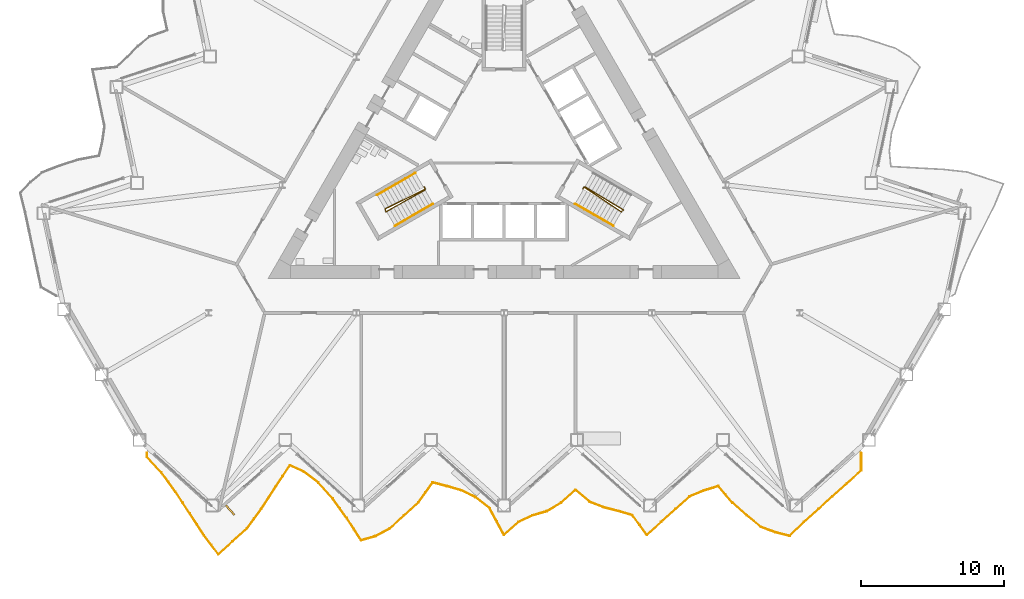
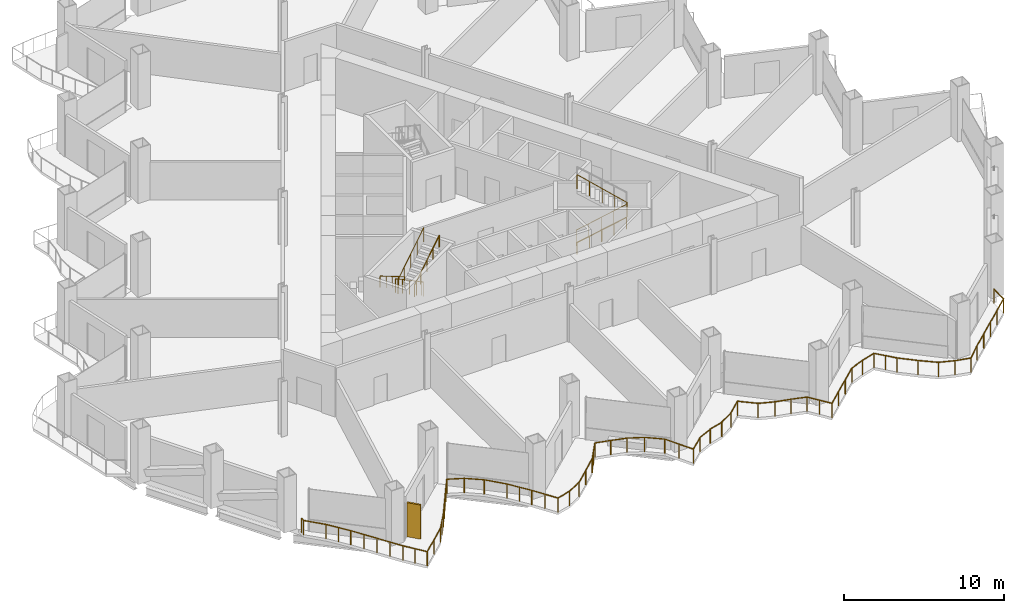
# One storey, part 17 of 21: 6 railings, 1 shading device.
"""IFC4 building model written with IfcOpenShell, lengths in metres."""

from ifc_helpers import new_model, si_unit, direction, frame, origin, origin_2d, place, context, subcontext, project, spatial, rectangle, circle, extrude, material, layer, layer_set, type_object, element, save


model = new_model("IFC4")

# Units and contexts
model_context = context("Model", 3, precision=1e-05, world=origin(), true_north=direction((0.0, 1.0)))
body_context = subcontext(model_context, "Body", "Model", "MODEL_VIEW")
ifc_project = project(units=[si_unit("LENGTHUNIT", "METRE"), si_unit("AREAUNIT", "SQUARE_METRE"), si_unit("VOLUMEUNIT", "CUBIC_METRE"), si_unit("PLANEANGLEUNIT", "RADIAN"), si_unit("MASSUNIT", "GRAM", prefix="KILO")], contexts=[model_context])

# Site, building, storey
site_placement = place(None, origin())
site = spatial("IfcSite", under=ifc_project, at=site_placement, CompositionType="ELEMENT")
building_placement = place(site_placement, origin())
building = spatial("IfcBuilding", under=site, at=building_placement, Name="Cormorant Prow Tower", CompositionType="ELEMENT")
storey_placement = place(building_placement, frame((0.0, 0.0, 108.0)))
storey = spatial("IfcBuildingStorey", under=building, at=storey_placement, Name="L22", CompositionType="ELEMENT", Elevation=108.0)

# Railings
ifc_material_1 = material(Name="Aluminium 6063-T6", Category="aluminium")
railing_type_1 = type_object("IfcRailingType", Name="Balcony guard 1100", PredefinedType="GUARDRAIL", material=ifc_material_1)
railing_1_placement = place(storey_placement, frame((-24.96337890625, -21.73486328125, 0.0)))
element("IfcRailing", 1, at=railing_1_placement, inside=storey, type_object=railing_type_1, Name="Balcony guard S", PredefinedType="GUARDRAIL", context=body_context, shape_type="SweptSolid", body=[
    extrude(circle(Radius=0.02392578125, at=origin_2d()), frame((0.0, 0.0, 1.076171875), z_axis=(0.0, -1.0, 0.0), x_axis=(1.0, 0.0, 0.0)), (0.0, 0.0, 1.0), 0.27001953125),
    extrude(circle(Radius=0.02392578125, at=origin_2d()), frame((0.0, -0.27001953125, 1.076171875), z_axis=(0.682579839343, -0.730811030925, 0.0), x_axis=(0.730811030925, 0.682579839343, 0.0)), (0.0, 0.0, 1.0), 1.462890625),
    extrude(circle(Radius=0.02392578125, at=origin_2d()), frame((0.99853515625, -1.339111328125, 1.076171875), z_axis=(0.590968956479, -0.806694299272, 0.0), x_axis=(0.806694299272, 0.590968956479, 0.0)), (0.0, 0.0, 1.0), 1.689697265625),
    extrude(circle(Radius=0.02392578125, at=origin_2d()), frame((1.9970703125, -2.7021484375, 1.076171875), z_axis=(0.546471548689, -0.837477669238, 0.0), x_axis=(0.837477669238, 0.546471548689, 0.0)), (0.0, 0.0, 1.0), 1.8271484375),
    extrude(circle(Radius=0.02392578125, at=origin_2d()), frame((2.99560546875, -4.232421875, 1.076171875), z_axis=(0.547389987267, -0.83687765046, 0.0), x_axis=(0.83687765046, 0.547389987267, 0.0)), (0.0, 0.0, 1.0), 1.82421875),
    extrude(circle(Radius=0.02392578125, at=origin_2d()), frame((3.994140625, -5.759033203125, 1.076171875), z_axis=(0.607268224345, -0.794496887156, 0.0), x_axis=(0.794496887156, 0.607268224345, 0.0)), (0.0, 0.0, 1.0), 1.644287109375),
    extrude(circle(Radius=0.02392578125, at=origin_2d()), frame((4.99267578125, -7.0654296875, 1.076171875), z_axis=(0.743203785227, 0.669065119121, 0.0), x_axis=(-0.669065119121, 0.743203785227, 0.0)), (0.0, 0.0, 1.0), 1.343505859375),
    extrude(circle(Radius=0.02392578125, at=origin_2d()), frame((5.9912109375, -6.16650390625, 1.076171875), z_axis=(0.743113432622, 0.669165470012, 0.0), x_axis=(-0.669165470012, 0.743113432622, 0.0)), (0.0, 0.0, 1.0), 1.34375),
    extrude(circle(Radius=0.02392578125, at=origin_2d()), frame((6.98974609375, -5.267333984375, 1.076171875), z_axis=(0.591934476972, 0.805986088572, 0.0), x_axis=(-0.805986088572, 0.591934476972, 0.0)), (0.0, 0.0, 1.0), 1.68701171875),
    extrude(circle(Radius=0.02392578125, at=origin_2d()), frame((7.98828125, -3.90771484375, 1.076171875), z_axis=(0.545494552009, 0.838114367928, 0.0), x_axis=(-0.838114367928, 0.545494552009, 0.0)), (0.0, 0.0, 1.0), 1.83056640625),
    extrude(circle(Radius=0.02392578125, at=origin_2d()), frame((8.98681640625, -2.37353515625, 1.076171875), z_axis=(0.54861835164, 0.836072906057, 0.0), x_axis=(-0.836072906057, 0.54861835164, 0.0)), (0.0, 0.0, 1.0), 1.820068359375),
    extrude(circle(Radius=0.02392578125, at=origin_2d()), frame((9.9853515625, -0.851806640625, 1.076171875), z_axis=(0.908945537038, -0.416914872245, 0.0), x_axis=(0.416914872245, 0.908945537038, 0.0)), (0.0, 0.0, 1.0), 1.0986328125),
    extrude(circle(Radius=0.02392578125, at=origin_2d()), frame((10.98388671875, -1.309814453125, 1.076171875), z_axis=(0.795730852914, -0.60565040223, 0.0), x_axis=(0.60565040223, 0.795730852914, 0.0)), (0.0, 0.0, 1.0), 1.2548828125),
    extrude(circle(Radius=0.02392578125, at=origin_2d()), frame((11.982421875, -2.06982421875, 1.076171875), z_axis=(0.672345440589, -0.740237535201, 0.0), x_axis=(0.740237535201, 0.672345440589, 0.0)), (0.0, 0.0, 1.0), 1.485107421875),
    extrude(circle(Radius=0.02392578125, at=origin_2d()), frame((12.98095703125, -3.169189453125, 1.076171875), z_axis=(0.584884728134, -0.811116424933, 0.0), x_axis=(0.811116424933, 0.584884728134, 0.0)), (0.0, 0.0, 1.0), 1.707275390625),
    extrude(circle(Radius=0.02392578125, at=origin_2d()), frame((13.9794921875, -4.553955078125, 1.076171875), z_axis=(0.544641936525, -0.838668683676, 0.0), x_axis=(0.838668683676, 0.544641936525, 0.0)), (0.0, 0.0, 1.0), 1.83349609375),
    extrude(circle(Radius=0.02392578125, at=origin_2d()), frame((14.97802734375, -6.091552734375, 1.076171875), z_axis=(0.962547362073, 0.271113584623, 0.0), x_axis=(-0.271113584623, 0.962547362073, 0.0)), (0.0, 0.0, 1.0), 1.037353515625),
    extrude(circle(Radius=0.02392578125, at=origin_2d()), frame((15.9765625, -5.810302734375, 1.076171875), z_axis=(0.878518696106, 0.477707965804, 0.0), x_axis=(-0.477707965804, 0.878518696106, 0.0)), (0.0, 0.0, 1.0), 1.13671875),
    extrude(circle(Radius=0.02392578125, at=origin_2d()), frame((16.97509765625, -5.267333984375, 1.076171875), z_axis=(0.743113432622, 0.669165470012, 0.0), x_axis=(-0.669165470012, 0.743113432622, 0.0)), (0.0, 0.0, 1.0), 1.34375),
    extrude(circle(Radius=0.02392578125, at=origin_2d()), frame((17.9736328125, -4.3681640625, 1.076171875), z_axis=(0.736271766287, 0.676685958306, 0.0), x_axis=(-0.676685958306, 0.736271766287, 0.0)), (0.0, 0.0, 1.0), 1.356201171875),
    extrude(circle(Radius=0.02392578125, at=origin_2d()), frame((18.97216796875, -3.450439453125, 1.076171875), z_axis=(0.582045609619, 0.813156140187, 0.0), x_axis=(-0.813156140187, 0.582045609619, 0.0)), (0.0, 0.0, 1.0), 1.715576171875),
    extrude(circle(Radius=0.02392578125, at=origin_2d()), frame((19.970703125, -2.055419921875, 1.076171875), z_axis=(0.968362271516, -0.249548614713, 0.0), x_axis=(0.249548614713, 0.968362271516, 0.0)), (0.0, 0.0, 1.0), 1.03125),
    extrude(circle(Radius=0.02392578125, at=origin_2d()), frame((20.96923828125, -2.312744140625, 1.076171875), z_axis=(0.961248532292, -0.275683258772, 0.0), x_axis=(0.275683258772, 0.961248532292, 0.0)), (0.0, 0.0, 1.0), 1.038818359375),
    extrude(circle(Radius=0.02392578125, at=origin_2d()), frame((21.9677734375, -2.59912109375, 1.076171875), z_axis=(0.90050704503, -0.4348414215, 0.0), x_axis=(0.4348414215, 0.90050704503, 0.0)), (0.0, 0.0, 1.0), 1.10888671875),
    extrude(circle(Radius=0.02392578125, at=origin_2d()), frame((22.96630859375, -3.081298828125, 1.076171875), z_axis=(0.783851476341, -0.620948357786, 0.0), x_axis=(0.620948357786, 0.783851476341, 0.0)), (0.0, 0.0, 1.0), 1.27392578125),
    extrude(circle(Radius=0.02392578125, at=origin_2d()), frame((23.96484375, -3.872314453125, 1.076171875), z_axis=(0.476320665365, -0.879271643889, 0.0), x_axis=(0.879271643889, 0.476320665365, 0.0)), (0.0, 0.0, 1.0), 2.096435546875),
    extrude(circle(Radius=0.02392578125, at=origin_2d()), frame((24.96337890625, -5.715576171875, 1.076171875), z_axis=(0.743113432622, 0.669165470012, 0.0), x_axis=(-0.669165470012, 0.743113432622, 0.0)), (0.0, 0.0, 1.0), 1.34375),
    extrude(circle(Radius=0.02392578125, at=origin_2d()), frame((25.9619140625, -4.81640625, 1.076171875), z_axis=(0.907426176512, 0.42021153504, 0.0), x_axis=(-0.42021153504, 0.907426176512, 0.0)), (0.0, 0.0, 1.0), 1.100341796875),
    extrude(circle(Radius=0.02392578125, at=origin_2d()), frame((26.96044921875, -4.35400390625, 1.076171875), z_axis=(0.959805272893, 0.280666774176, 0.0), x_axis=(-0.280666774176, 0.959805272893, 0.0)), (0.0, 0.0, 1.0), 1.040283203125),
    extrude(circle(Radius=0.02392578125, at=origin_2d()), frame((27.958984375, -4.06201171875, 1.076171875), z_axis=(0.85989512001, 0.51047074606, 0.0), x_axis=(-0.51047074606, 0.85989512001, 0.0)), (0.0, 0.0, 1.0), 1.1611328125),
    extrude(circle(Radius=0.02392578125, at=origin_2d()), frame((28.95751953125, -3.46923828125, 1.076171875), z_axis=(0.743113432622, 0.669165470012, 0.0), x_axis=(-0.669165470012, 0.743113432622, 0.0)), (0.0, 0.0, 1.0), 1.34375),
    extrude(circle(Radius=0.02392578125, at=origin_2d()), frame((29.9560546875, -2.570068359375, 1.076171875), z_axis=(0.763457084492, -0.645858560475, 0.0), x_axis=(0.645858560475, 0.763457084492, 0.0)), (0.0, 0.0, 1.0), 1.307861328125),
    extrude(circle(Radius=0.02392578125, at=origin_2d()), frame((30.95458984375, -3.414794921875, 1.076171875), z_axis=(0.933657077143, -0.358168203921, 0.0), x_axis=(0.358168203921, 0.933657077143, 0.0)), (0.0, 0.0, 1.0), 1.069580078125),
    extrude(circle(Radius=0.02392578125, at=origin_2d()), frame((31.953125, -3.7978515625, 1.076171875), z_axis=(0.969441353557, -0.245323178712, 0.0), x_axis=(0.245323178712, 0.969441353557, 0.0)), (0.0, 0.0, 1.0), 1.030029296875),
    extrude(circle(Radius=0.02392578125, at=origin_2d()), frame((32.95166015625, -4.050537109375, 1.076171875), z_axis=(0.958212304313, -0.286058000872, 0.0), x_axis=(0.286058000872, 0.958212304313, 0.0)), (0.0, 0.0, 1.0), 1.0419921875),
    extrude(circle(Radius=0.02392578125, at=origin_2d()), frame((33.9501953125, -4.3486328125, 1.076171875), z_axis=(0.5898683241, -0.807499449055, 0.0), x_axis=(0.807499449055, 0.5898683241, 0.0)), (0.0, 0.0, 1.0), 1.69287109375),
    extrude(circle(Radius=0.02392578125, at=origin_2d()), frame((34.94873046875, -5.715576171875, 1.076171875), z_axis=(0.743113432622, 0.669165470012, 0.0), x_axis=(-0.669165470012, 0.743113432622, 0.0)), (0.0, 0.0, 1.0), 1.34375),
    extrude(circle(Radius=0.02392578125, at=origin_2d()), frame((35.947265625, -4.81640625, 1.076171875), z_axis=(0.743113432622, 0.669165470012, 0.0), x_axis=(-0.669165470012, 0.743113432622, 0.0)), (0.0, 0.0, 1.0), 1.34375),
    extrude(circle(Radius=0.02392578125, at=origin_2d()), frame((36.94580078125, -3.917236328125, 1.076171875), z_axis=(0.743203785227, 0.669065119121, 0.0), x_axis=(-0.669065119121, 0.743203785227, 0.0)), (0.0, 0.0, 1.0), 1.343505859375),
    extrude(circle(Radius=0.02392578125, at=origin_2d()), frame((37.9443359375, -3.018310546875, 1.076171875), z_axis=(0.927535321824, 0.373735503757, 0.0), x_axis=(-0.373735503757, 0.927535321824, 0.0)), (0.0, 0.0, 1.0), 1.07666015625),
    extrude(circle(Radius=0.02392578125, at=origin_2d()), frame((38.94287109375, -2.615966796875, 1.076171875), z_axis=(0.956594534047, 0.291422197903, 0.0), x_axis=(-0.291422197903, 0.956594534047, 0.0)), (0.0, 0.0, 1.0), 1.0439453125),
    extrude(circle(Radius=0.02392578125, at=origin_2d()), frame((39.94140625, -2.311767578125, 1.076171875), z_axis=(0.653208122413, -0.757178412802, 0.0), x_axis=(0.757178412802, 0.653208122413, 0.0)), (0.0, 0.0, 1.0), 1.528564453125),
    extrude(circle(Radius=0.02392578125, at=origin_2d()), frame((40.93994140625, -3.46923828125, 1.076171875), z_axis=(0.743203785227, -0.669065119121, 0.0), x_axis=(0.669065119121, 0.743203785227, 0.0)), (0.0, 0.0, 1.0), 1.343505859375),
    extrude(circle(Radius=0.02392578125, at=origin_2d()), frame((41.9384765625, -4.3681640625, 1.076171875), z_axis=(0.777798148966, -0.62851415216, 0.0), x_axis=(0.62851415216, 0.777798148966, 0.0)), (0.0, 0.0, 1.0), 1.28369140625),
    extrude(circle(Radius=0.02392578125, at=origin_2d()), frame((42.93701171875, -5.175048828125, 1.076171875), z_axis=(0.939444203262, -0.342701895175, 0.0), x_axis=(0.342701895175, 0.939444203262, 0.0)), (0.0, 0.0, 1.0), 1.06298828125),
    extrude(circle(Radius=0.02392578125, at=origin_2d()), frame((43.935546875, -5.539306640625, 1.076171875), z_axis=(0.970226166734, -0.242200713016, 0.0), x_axis=(0.242200713016, 0.970226166734, 0.0)), (0.0, 0.0, 1.0), 1.029296875),
    extrude(circle(Radius=0.02392578125, at=origin_2d()), frame((44.93408203125, -5.78857421875, 1.076171875), z_axis=(0.716503446644, 0.697583551231, 0.0), x_axis=(-0.697583551231, 0.716503446644, 0.0)), (0.0, 0.0, 1.0), 1.3935546875),
    extrude(circle(Radius=0.02392578125, at=origin_2d()), frame((45.9326171875, -4.81640625, 1.076171875), z_axis=(0.743113432622, 0.669165470012, 0.0), x_axis=(-0.669165470012, 0.743113432622, 0.0)), (0.0, 0.0, 1.0), 1.34375),
    extrude(circle(Radius=0.02392578125, at=origin_2d()), frame((46.93115234375, -3.917236328125, 1.076171875), z_axis=(0.743203785227, 0.669065119121, 0.0), x_axis=(-0.669065119121, 0.743203785227, 0.0)), (0.0, 0.0, 1.0), 1.343505859375),
    extrude(circle(Radius=0.02392578125, at=origin_2d()), frame((47.9296875, -3.018310546875, 1.076171875), z_axis=(0.743113432622, 0.669165470012, 0.0), x_axis=(-0.669165470012, 0.743113432622, 0.0)), (0.0, 0.0, 1.0), 1.34375),
    extrude(circle(Radius=0.02392578125, at=origin_2d()), frame((48.92822265625, -2.119140625, 1.076171875), z_axis=(0.743113432622, 0.669165470012, 0.0), x_axis=(-0.669165470012, 0.743113432622, 0.0)), (0.0, 0.0, 1.0), 1.34375),
    extrude(circle(Radius=0.02392578125, at=origin_2d()), frame((49.9267578125, -1.219970703125, 1.076171875), z_axis=(0.0, 1.0, 0.0), x_axis=(-1.0, 0.0, 0.0)), (0.0, 0.0, 1.0), 1.219970703125),
    extrude(circle(Radius=0.02099609375, at=origin_2d()), origin(), (0.0, 0.0, 1.0), 1.052001953125),
    extrude(circle(Radius=0.02099609375, at=origin_2d()), frame((0.0, -0.27001953125, 0.0)), (0.0, 0.0, 1.0), 1.052001953125),
    extrude(circle(Radius=0.02099609375, at=origin_2d()), frame((0.99853515625, -1.339111328125, 0.0)), (0.0, 0.0, 1.0), 1.052001953125),
    extrude(circle(Radius=0.02099609375, at=origin_2d()), frame((1.497802734375, -2.0205078125, 0.0)), (0.0, 0.0, 1.0), 1.052001953125),
    extrude(circle(Radius=0.02099609375, at=origin_2d()), frame((1.9970703125, -2.7021484375, 0.0)), (0.0, 0.0, 1.0), 1.052001953125),
    extrude(circle(Radius=0.02099609375, at=origin_2d()), frame((2.496337890625, -3.46728515625, 0.0)), (0.0, 0.0, 1.0), 1.052001953125),
    extrude(circle(Radius=0.02099609375, at=origin_2d()), frame((2.99560546875, -4.232421875, 0.0)), (0.0, 0.0, 1.0), 1.052001953125),
    extrude(circle(Radius=0.02099609375, at=origin_2d()), frame((3.494873046875, -4.99560546875, 0.0)), (0.0, 0.0, 1.0), 1.052001953125),
    extrude(circle(Radius=0.02099609375, at=origin_2d()), frame((3.994140625, -5.759033203125, 0.0)), (0.0, 0.0, 1.0), 1.052001953125),
    extrude(circle(Radius=0.02099609375, at=origin_2d()), frame((4.493408203125, -6.412109375, 0.0)), (0.0, 0.0, 1.0), 1.052001953125),
    extrude(circle(Radius=0.02099609375, at=origin_2d()), frame((4.99267578125, -7.0654296875, 0.0)), (0.0, 0.0, 1.0), 1.052001953125),
    extrude(circle(Radius=0.02099609375, at=origin_2d()), frame((5.9912109375, -6.16650390625, 0.0)), (0.0, 0.0, 1.0), 1.052001953125),
    extrude(circle(Radius=0.02099609375, at=origin_2d()), frame((6.98974609375, -5.267333984375, 0.0)), (0.0, 0.0, 1.0), 1.052001953125),
    extrude(circle(Radius=0.02099609375, at=origin_2d()), frame((7.489013671875, -4.58740234375, 0.0)), (0.0, 0.0, 1.0), 1.052001953125),
    extrude(circle(Radius=0.02099609375, at=origin_2d()), frame((7.98828125, -3.90771484375, 0.0)), (0.0, 0.0, 1.0), 1.052001953125),
    extrude(circle(Radius=0.02099609375, at=origin_2d()), frame((8.487548828125, -3.140625, 0.0)), (0.0, 0.0, 1.0), 1.052001953125),
    extrude(circle(Radius=0.02099609375, at=origin_2d()), frame((8.98681640625, -2.37353515625, 0.0)), (0.0, 0.0, 1.0), 1.052001953125),
    extrude(circle(Radius=0.02099609375, at=origin_2d()), frame((9.486083984375, -1.61279296875, 0.0)), (0.0, 0.0, 1.0), 1.052001953125),
    extrude(circle(Radius=0.02099609375, at=origin_2d()), frame((9.9853515625, -0.851806640625, 0.0)), (0.0, 0.0, 1.0), 1.052001953125),
    extrude(circle(Radius=0.02099609375, at=origin_2d()), frame((10.98388671875, -1.309814453125, 0.0)), (0.0, 0.0, 1.0), 1.052001953125),
    extrude(circle(Radius=0.02099609375, at=origin_2d()), frame((11.982421875, -2.06982421875, 0.0)), (0.0, 0.0, 1.0), 1.052001953125),
    extrude(circle(Radius=0.02099609375, at=origin_2d()), frame((12.98095703125, -3.169189453125, 0.0)), (0.0, 0.0, 1.0), 1.052001953125),
    extrude(circle(Radius=0.02099609375, at=origin_2d()), frame((13.480224609375, -3.861572265625, 0.0)), (0.0, 0.0, 1.0), 1.052001953125),
    extrude(circle(Radius=0.02099609375, at=origin_2d()), frame((13.9794921875, -4.553955078125, 0.0)), (0.0, 0.0, 1.0), 1.052001953125),
    extrude(circle(Radius=0.02099609375, at=origin_2d()), frame((14.478759765625, -5.32275390625, 0.0)), (0.0, 0.0, 1.0), 1.052001953125),
    extrude(circle(Radius=0.02099609375, at=origin_2d()), frame((14.97802734375, -6.091552734375, 0.0)), (0.0, 0.0, 1.0), 1.052001953125),
    extrude(circle(Radius=0.02099609375, at=origin_2d()), frame((15.9765625, -5.810302734375, 0.0)), (0.0, 0.0, 1.0), 1.052001953125),
    extrude(circle(Radius=0.02099609375, at=origin_2d()), frame((16.97509765625, -5.267333984375, 0.0)), (0.0, 0.0, 1.0), 1.052001953125),
    extrude(circle(Radius=0.02099609375, at=origin_2d()), frame((17.9736328125, -4.3681640625, 0.0)), (0.0, 0.0, 1.0), 1.052001953125),
    extrude(circle(Radius=0.02099609375, at=origin_2d()), frame((18.97216796875, -3.450439453125, 0.0)), (0.0, 0.0, 1.0), 1.052001953125),
    extrude(circle(Radius=0.02099609375, at=origin_2d()), frame((19.471435546875, -2.7529296875, 0.0)), (0.0, 0.0, 1.0), 1.052001953125),
    extrude(circle(Radius=0.02099609375, at=origin_2d()), frame((19.970703125, -2.055419921875, 0.0)), (0.0, 0.0, 1.0), 1.052001953125),
    extrude(circle(Radius=0.02099609375, at=origin_2d()), frame((20.96923828125, -2.312744140625, 0.0)), (0.0, 0.0, 1.0), 1.052001953125),
    extrude(circle(Radius=0.02099609375, at=origin_2d()), frame((21.9677734375, -2.59912109375, 0.0)), (0.0, 0.0, 1.0), 1.052001953125),
    extrude(circle(Radius=0.02099609375, at=origin_2d()), frame((22.96630859375, -3.081298828125, 0.0)), (0.0, 0.0, 1.0), 1.052001953125),
    extrude(circle(Radius=0.02099609375, at=origin_2d()), frame((23.96484375, -3.872314453125, 0.0)), (0.0, 0.0, 1.0), 1.052001953125),
    extrude(circle(Radius=0.02099609375, at=origin_2d()), frame((24.464111328125, -4.7939453125, 0.0)), (0.0, 0.0, 1.0), 1.052001953125),
    extrude(circle(Radius=0.02099609375, at=origin_2d()), frame((24.96337890625, -5.715576171875, 0.0)), (0.0, 0.0, 1.0), 1.052001953125),
    extrude(circle(Radius=0.02099609375, at=origin_2d()), frame((25.9619140625, -4.81640625, 0.0)), (0.0, 0.0, 1.0), 1.052001953125),
    extrude(circle(Radius=0.02099609375, at=origin_2d()), frame((26.96044921875, -4.35400390625, 0.0)), (0.0, 0.0, 1.0), 1.052001953125),
    extrude(circle(Radius=0.02099609375, at=origin_2d()), frame((27.958984375, -4.06201171875, 0.0)), (0.0, 0.0, 1.0), 1.052001953125),
    extrude(circle(Radius=0.02099609375, at=origin_2d()), frame((28.95751953125, -3.46923828125, 0.0)), (0.0, 0.0, 1.0), 1.052001953125),
    extrude(circle(Radius=0.02099609375, at=origin_2d()), frame((29.9560546875, -2.570068359375, 0.0)), (0.0, 0.0, 1.0), 1.052001953125),
    extrude(circle(Radius=0.02099609375, at=origin_2d()), frame((30.95458984375, -3.414794921875, 0.0)), (0.0, 0.0, 1.0), 1.052001953125),
    extrude(circle(Radius=0.02099609375, at=origin_2d()), frame((31.953125, -3.7978515625, 0.0)), (0.0, 0.0, 1.0), 1.052001953125),
    extrude(circle(Radius=0.02099609375, at=origin_2d()), frame((32.95166015625, -4.050537109375, 0.0)), (0.0, 0.0, 1.0), 1.052001953125),
    extrude(circle(Radius=0.02099609375, at=origin_2d()), frame((33.9501953125, -4.3486328125, 0.0)), (0.0, 0.0, 1.0), 1.052001953125),
    extrude(circle(Radius=0.02099609375, at=origin_2d()), frame((34.449462890625, -5.0322265625, 0.0)), (0.0, 0.0, 1.0), 1.052001953125),
    extrude(circle(Radius=0.02099609375, at=origin_2d()), frame((34.94873046875, -5.715576171875, 0.0)), (0.0, 0.0, 1.0), 1.052001953125),
    extrude(circle(Radius=0.02099609375, at=origin_2d()), frame((35.947265625, -4.81640625, 0.0)), (0.0, 0.0, 1.0), 1.052001953125),
    extrude(circle(Radius=0.02099609375, at=origin_2d()), frame((36.94580078125, -3.917236328125, 0.0)), (0.0, 0.0, 1.0), 1.052001953125),
    extrude(circle(Radius=0.02099609375, at=origin_2d()), frame((37.9443359375, -3.018310546875, 0.0)), (0.0, 0.0, 1.0), 1.052001953125),
    extrude(circle(Radius=0.02099609375, at=origin_2d()), frame((38.94287109375, -2.615966796875, 0.0)), (0.0, 0.0, 1.0), 1.052001953125),
    extrude(circle(Radius=0.02099609375, at=origin_2d()), frame((39.94140625, -2.311767578125, 0.0)), (0.0, 0.0, 1.0), 1.052001953125),
    extrude(circle(Radius=0.02099609375, at=origin_2d()), frame((40.440673828125, -2.890625, 0.0)), (0.0, 0.0, 1.0), 1.052001953125),
    extrude(circle(Radius=0.02099609375, at=origin_2d()), frame((40.93994140625, -3.46923828125, 0.0)), (0.0, 0.0, 1.0), 1.052001953125),
    extrude(circle(Radius=0.02099609375, at=origin_2d()), frame((41.9384765625, -4.3681640625, 0.0)), (0.0, 0.0, 1.0), 1.052001953125),
    extrude(circle(Radius=0.02099609375, at=origin_2d()), frame((42.93701171875, -5.175048828125, 0.0)), (0.0, 0.0, 1.0), 1.052001953125),
    extrude(circle(Radius=0.02099609375, at=origin_2d()), frame((43.935546875, -5.539306640625, 0.0)), (0.0, 0.0, 1.0), 1.052001953125),
    extrude(circle(Radius=0.02099609375, at=origin_2d()), frame((44.93408203125, -5.78857421875, 0.0)), (0.0, 0.0, 1.0), 1.052001953125),
    extrude(circle(Radius=0.02099609375, at=origin_2d()), frame((45.9326171875, -4.81640625, 0.0)), (0.0, 0.0, 1.0), 1.052001953125),
    extrude(circle(Radius=0.02099609375, at=origin_2d()), frame((46.93115234375, -3.917236328125, 0.0)), (0.0, 0.0, 1.0), 1.052001953125),
    extrude(circle(Radius=0.02099609375, at=origin_2d()), frame((47.9296875, -3.018310546875, 0.0)), (0.0, 0.0, 1.0), 1.052001953125),
    extrude(circle(Radius=0.02099609375, at=origin_2d()), frame((48.92822265625, -2.119140625, 0.0)), (0.0, 0.0, 1.0), 1.052001953125),
    extrude(circle(Radius=0.02099609375, at=origin_2d()), frame((49.9267578125, -1.219970703125, 0.0)), (0.0, 0.0, 1.0), 1.052001953125),
    extrude(circle(Radius=0.02099609375, at=origin_2d()), frame((49.9267578125, 0.0, 0.0)), (0.0, 0.0, 1.0), 1.052001953125),
])
ifc_material_2 = material(Name="Stainless steel", Category="steel")
railing_type_2 = type_object("IfcRailingType", Name="Stair guard 1100", PredefinedType="GUARDRAIL", material=ifc_material_2)
railing_2_placement = place(storey_placement, frame((-5.585205078125, -3.137939453125, 0.0)))
element("IfcRailing", 2, at=railing_2_placement, inside=storey, type_object=railing_type_2, Name="L22 ST1 stair guard 1", PredefinedType="GUARDRAIL", context=body_context, shape_type="SweptSolid", body=[
    extrude(circle(Radius=0.02392578125, at=origin_2d()), frame((0.0, 0.0, 1.076171875), z_axis=(0.501036270542, -0.865426285481, 0.0), x_axis=(0.865426285481, 0.501036270542, 0.0)), (0.0, 0.0, 1.0), 0.150146484375),
    extrude(circle(Radius=0.02392578125, at=origin_2d()), frame((0.0751953125, -0.1298828125, 1.076171875), z_axis=(-0.744644002882, -0.368732342607, 0.556364780057), x_axis=(0.443754251299, -0.896148516963, 0.0)), (0.0, 0.0, 1.0), 3.774658203125),
    extrude(circle(Radius=0.02392578125, at=origin_2d()), frame((-2.735595703125, -1.521728515625, 3.17626953125), z_axis=(0.274721127897, -0.961523947641, 0.0), x_axis=(0.961523947641, 0.274721127897, 0.0)), (0.0, 0.0, 1.0), 0.2060546875),
    extrude(circle(Radius=0.02392578125, at=origin_2d()), frame((-2.678955078125, -1.719970703125, 3.17626953125), z_axis=(0.725764528363, 0.403684660475, 0.557049857973), x_axis=(-0.486086505765, 0.873910698477, 0.0)), (0.0, 0.0, 1.0), 3.76953125),
    extrude(circle(Radius=0.02099609375, at=origin_2d()), origin(), (0.0, 0.0, 1.0), 1.052001953125),
    extrude(circle(Radius=0.02099609375, at=origin_2d()), frame((0.0751953125, -0.1298828125, 0.0)), (0.0, 0.0, 1.0), 1.052001953125),
    extrude(circle(Radius=0.02099609375, at=origin_2d()), frame((-0.62744140625, -0.477783203125, 0.52490234375)), (0.0, 0.0, 1.0), 1.052001953125),
    extrude(circle(Radius=0.02099609375, at=origin_2d()), frame((-1.330078125, -0.82568359375, 1.050048828125)), (0.0, 0.0, 1.0), 1.052001953125),
    extrude(circle(Radius=0.02099609375, at=origin_2d()), frame((-2.032958984375, -1.173828125, 1.5751953125)), (0.0, 0.0, 1.0), 1.052001953125),
    extrude(circle(Radius=0.02099609375, at=origin_2d()), frame((-2.735595703125, -1.521728515625, 2.10009765625)), (0.0, 0.0, 1.0), 1.052001953125),
    extrude(circle(Radius=0.02099609375, at=origin_2d()), frame((-2.678955078125, -1.719970703125, 2.10009765625)), (0.0, 0.0, 1.0), 1.052001953125),
    extrude(circle(Radius=0.02099609375, at=origin_2d()), frame((-1.9951171875, -1.339599609375, 2.625)), (0.0, 0.0, 1.0), 1.052001953125),
    extrude(circle(Radius=0.02099609375, at=origin_2d()), frame((-1.31103515625, -0.958984375, 3.14990234375)), (0.0, 0.0, 1.0), 1.052001953125),
    extrude(circle(Radius=0.02099609375, at=origin_2d()), frame((-0.626953125, -0.57861328125, 3.675048828125)), (0.0, 0.0, 1.0), 1.052001953125),
    extrude(circle(Radius=0.02099609375, at=origin_2d()), frame((0.056884765625, -0.1982421875, 4.199951171875)), (0.0, 0.0, 1.0), 1.052001953125),
])
railing_3_placement = place(storey_placement, frame((5.510009765625, -3.267822265625, 0.0)))
element("IfcRailing", 3, at=railing_3_placement, inside=storey, type_object=railing_type_2, Name="L22 ST2 stair guard 1", PredefinedType="GUARDRAIL", context=body_context, shape_type="SweptSolid", body=[
    extrude(circle(Radius=0.02392578125, at=origin_2d()), frame((0.0, 0.0, 1.076171875), z_axis=(0.501036270542, 0.865426285481, 0.0), x_axis=(-0.865426285481, 0.501036270542, 0.0)), (0.0, 0.0, 1.0), 0.150146484375),
    extrude(circle(Radius=0.02392578125, at=origin_2d()), frame((0.0751953125, 0.1298828125, 1.076171875), z_axis=(0.691630634645, -0.46052652377, 0.556383308633), x_axis=(0.554233058506, 0.832361530141, 0.0)), (0.0, 0.0, 1.0), 3.774658203125),
    extrude(circle(Radius=0.02392578125, at=origin_2d()), frame((2.685791015625, -1.6083984375, 3.17626953125), z_axis=(0.695164929852, 0.718850276695, 0.0), x_axis=(-0.718850276695, 0.695164929852, 0.0)), (0.0, 0.0, 1.0), 0.2060546875),
    extrude(circle(Radius=0.02392578125, at=origin_2d()), frame((2.8291015625, -1.460205078125, 3.17626953125), z_axis=(-0.712489022558, 0.426677363931, 0.55705100291), x_axis=(-0.513773053629, -0.857926132814, 0.0)), (0.0, 0.0, 1.0), 3.76953125),
    extrude(circle(Radius=0.02099609375, at=origin_2d()), origin(), (0.0, 0.0, 1.0), 1.052001953125),
    extrude(circle(Radius=0.02099609375, at=origin_2d()), frame((0.0751953125, 0.1298828125, 0.0)), (0.0, 0.0, 1.0), 1.052001953125),
    extrude(circle(Radius=0.02099609375, at=origin_2d()), frame((0.727783203125, -0.3046875, 0.52490234375)), (0.0, 0.0, 1.0), 1.052001953125),
    extrude(circle(Radius=0.02099609375, at=origin_2d()), frame((1.38037109375, -0.7392578125, 1.050048828125)), (0.0, 0.0, 1.0), 1.052001953125),
    extrude(circle(Radius=0.02099609375, at=origin_2d()), frame((2.033203125, -1.173828125, 1.5751953125)), (0.0, 0.0, 1.0), 1.052001953125),
    extrude(circle(Radius=0.02099609375, at=origin_2d()), frame((2.685791015625, -1.6083984375, 2.10009765625)), (0.0, 0.0, 1.0), 1.052001953125),
    extrude(circle(Radius=0.02099609375, at=origin_2d()), frame((2.8291015625, -1.460205078125, 2.10009765625)), (0.0, 0.0, 1.0), 1.052001953125),
    extrude(circle(Radius=0.02099609375, at=origin_2d()), frame((2.15771484375, -1.05810546875, 2.625)), (0.0, 0.0, 1.0), 1.052001953125),
    extrude(circle(Radius=0.02099609375, at=origin_2d()), frame((1.486328125, -0.656005859375, 3.14990234375)), (0.0, 0.0, 1.0), 1.052001953125),
    extrude(circle(Radius=0.02099609375, at=origin_2d()), frame((0.814697265625, -0.25390625, 3.675048828125)), (0.0, 0.0, 1.0), 1.052001953125),
    extrude(circle(Radius=0.02099609375, at=origin_2d()), frame((0.143310546875, 0.148193359375, 4.199951171875)), (0.0, 0.0, 1.0), 1.052001953125),
])
ifc_material_3 = material(Name="Stainless steel", Category="steel")
railing_type_3 = type_object("IfcRailingType", Name="Stair handrail 900", PredefinedType="HANDRAIL", material=ifc_material_3)
railing_4_placement = place(storey_placement, frame((-6.212890625, -2.150634765625, 0.175048828125)))
element("IfcRailing", 4, at=railing_4_placement, inside=storey, type_object=railing_type_3, Name="L22 ST1 stair handrail 1", PredefinedType="HANDRAIL", context=body_context, shape_type="SweptSolid", body=[
    extrude(circle(Radius=0.02392578125, at=origin_2d()), frame((0.0, 0.0, 0.8759765625), z_axis=(-0.734394994316, -0.423994474112, 0.52999309264), x_axis=(0.499992328818, -0.866029832698, 0.0)), (0.0, 0.0, 1.0), 3.63232421875),
    extrude(circle(Radius=0.02099609375, at=origin_2d()), origin(), (0.0, 0.0, 1.0), 0.851806640625),
    extrude(circle(Radius=0.02099609375, at=origin_2d()), frame((-0.6669921875, -0.385009765625, 0.481201171875)), (0.0, 0.0, 1.0), 0.851806640625),
    extrude(circle(Radius=0.02099609375, at=origin_2d()), frame((-1.333740234375, -0.77001953125, 0.96240234375)), (0.0, 0.0, 1.0), 0.851806640625),
    extrude(circle(Radius=0.02099609375, at=origin_2d()), frame((-2.00048828125, -1.155029296875, 1.44384765625)), (0.0, 0.0, 1.0), 0.851806640625),
    extrude(circle(Radius=0.02099609375, at=origin_2d()), frame((-2.66748046875, -1.5400390625, 1.925048828125)), (0.0, 0.0, 1.0), 0.851806640625),
])
railing_5_placement = place(storey_placement, frame((-7.63623046875, -5.84521484375, 2.27490234375)))
element("IfcRailing", 5, at=railing_5_placement, inside=storey, type_object=railing_type_3, Name="L22 ST1 stair handrail 2", PredefinedType="HANDRAIL", context=body_context, shape_type="SweptSolid", body=[
    extrude(circle(Radius=0.02392578125, at=origin_2d()), frame((0.0, 0.0, 0.8759765625), z_axis=(0.734364028329, 0.424015404183, 0.530019255228), x_axis=(-0.500026652407, 0.866010015463, 0.0)), (0.0, 0.0, 1.0), 3.632080078125),
    extrude(circle(Radius=0.02099609375, at=origin_2d()), origin(), (0.0, 0.0, 1.0), 0.851806640625),
    extrude(circle(Radius=0.02099609375, at=origin_2d()), frame((0.666748046875, 0.385009765625, 0.481201171875)), (0.0, 0.0, 1.0), 0.851806640625),
    extrude(circle(Radius=0.02099609375, at=origin_2d()), frame((1.33349609375, 0.77001953125, 0.96240234375)), (0.0, 0.0, 1.0), 0.851806640625),
    extrude(circle(Radius=0.02099609375, at=origin_2d()), frame((2.00048828125, 1.155029296875, 1.44384765625)), (0.0, 0.0, 1.0), 0.851806640625),
    extrude(circle(Radius=0.02099609375, at=origin_2d()), frame((2.667236328125, 1.5400390625, 1.925048828125)), (0.0, 0.0, 1.0), 0.851806640625),
])
railing_6_placement = place(storey_placement, frame((4.968994140625, -4.30517578125, 0.175048828125)))
element("IfcRailing", 6, at=railing_6_placement, inside=storey, type_object=railing_type_3, Name="L22 ST2 stair handrail 1", PredefinedType="HANDRAIL", context=body_context, shape_type="SweptSolid", body=[
    extrude(circle(Radius=0.02392578125, at=origin_2d()), frame((0.0, 0.0, 0.8759765625), z_axis=(0.734364028329, -0.424015404183, 0.530019255228), x_axis=(0.500026652407, 0.866010015463, 0.0)), (0.0, 0.0, 1.0), 3.632080078125),
    extrude(circle(Radius=0.02099609375, at=origin_2d()), origin(), (0.0, 0.0, 1.0), 0.851806640625),
    extrude(circle(Radius=0.02099609375, at=origin_2d()), frame((0.666748046875, -0.385009765625, 0.481201171875)), (0.0, 0.0, 1.0), 0.851806640625),
    extrude(circle(Radius=0.02099609375, at=origin_2d()), frame((1.33349609375, -0.77001953125, 0.96240234375)), (0.0, 0.0, 1.0), 0.851806640625),
    extrude(circle(Radius=0.02099609375, at=origin_2d()), frame((2.00048828125, -1.155029296875, 1.44384765625)), (0.0, 0.0, 1.0), 0.851806640625),
    extrude(circle(Radius=0.02099609375, at=origin_2d()), frame((2.667236328125, -1.5400390625, 1.925048828125)), (0.0, 0.0, 1.0), 0.851806640625),
])

# Shading device
ifc_material_4 = material(Name="Terracotta", Category="masonry")
ifc_layer = layer(ifc_material_4, 0.1201171875)
ifc_layer_set = layer_set([ifc_layer], Name="Terracotta")
shading_device_type = type_object("IfcShadingDeviceType", Name="Terracotta baguette fin 120x900x2600", PredefinedType="USERDEFINED", material=ifc_layer_set)
shading_device_placement = place(storey_placement, frame((-19.15234375, -25.718994140625, 0.0), z_axis=(0.0, 0.0, 1.0), x_axis=(0.743144785735, 0.669130650497, 0.0)))
element("IfcShadingDevice", 7, at=shading_device_placement, inside=storey, type_object=shading_device_type, Name="Baguette fin S01", ObjectType="BAGUETTE", PredefinedType="USERDEFINED", context=body_context, shape_type="SweptSolid", body=[
    extrude(rectangle(XDim=0.1201171875, YDim=0.89990234375, at=origin_2d()), origin(), (0.0, 0.0, 1.0), 2.60009765625),
])

save(model, "model.ifc")
